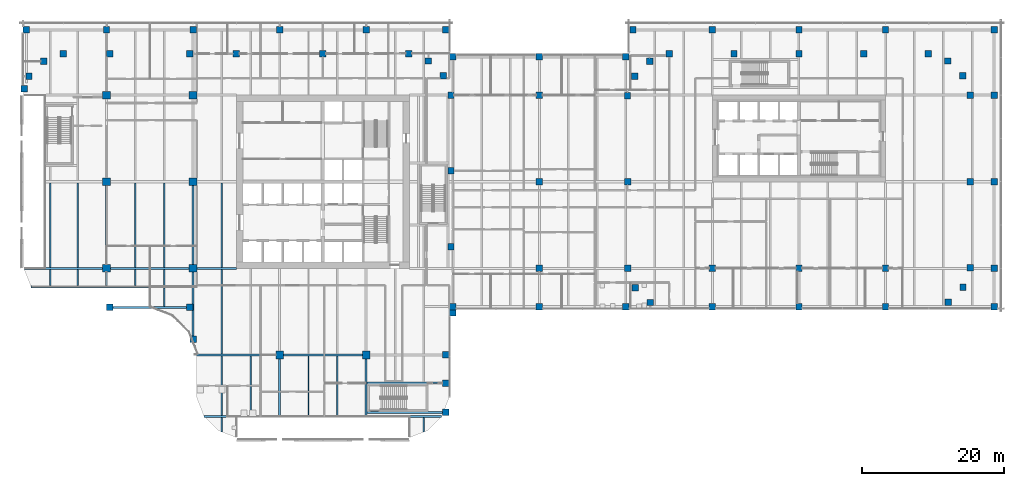
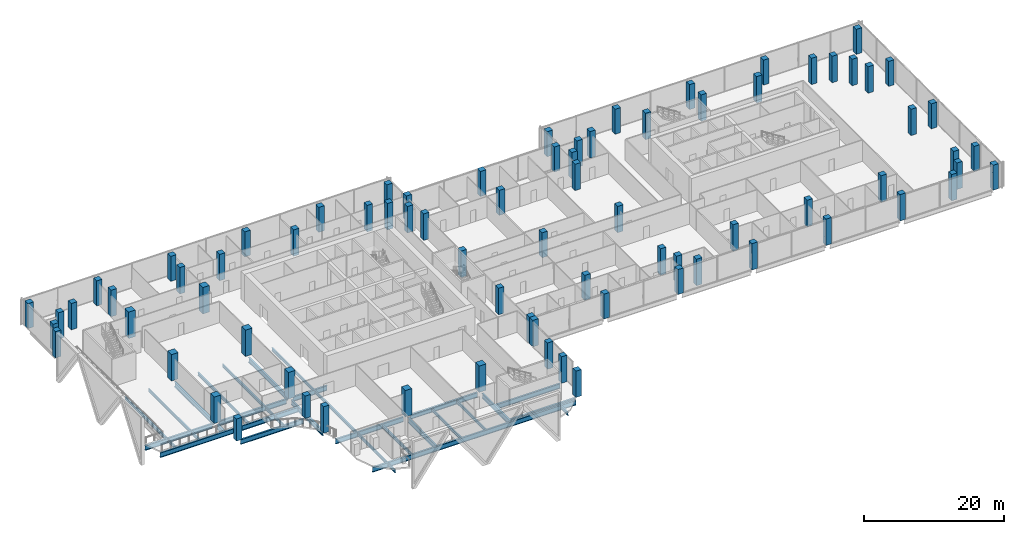
# One storey, part 1 of 33: 78 columns, 33 beams.
"""IFC4 building model written with IfcOpenShell, lengths in metres."""

from ifc_helpers import new_model, si_unit, direction, frame, origin, origin_2d, place, context, subcontext, project, spatial, rectangle, i_section, extrude, material, material_profile, profile_set, type_object, element, save


model = new_model("IFC4")

# Units and contexts
model_context = context("Model", 3, precision=1e-05, world=origin(), true_north=direction((0.0, 1.0)))
body_context = subcontext(model_context, "Body", "Model", "MODEL_VIEW")
ifc_project = project(units=[si_unit("LENGTHUNIT", "METRE"), si_unit("AREAUNIT", "SQUARE_METRE"), si_unit("VOLUMEUNIT", "CUBIC_METRE"), si_unit("PLANEANGLEUNIT", "RADIAN"), si_unit("MASSUNIT", "GRAM", prefix="KILO")], contexts=[model_context])

# Site, building, storey
site_placement = place(None, origin())
site = spatial("IfcSite", under=ifc_project, at=site_placement, CompositionType="ELEMENT")
building_placement = place(site_placement, origin())
building = spatial("IfcBuilding", under=site, at=building_placement, Name="Tessera Gate Towers", CompositionType="ELEMENT")
storey_placement = place(building_placement, frame((0.0, 0.0, 12.0)))
storey = spatial("IfcBuildingStorey", under=building, at=storey_placement, Name="L02", CompositionType="ELEMENT", Elevation=12.0)

# Columns
ifc_material_1 = material(Name="Concrete C70/85", Category="concrete")
ifc_material_profile_1 = material_profile(ifc_material_1, rectangle(XDim=1.10009765625, YDim=1.10009765625, at=origin_2d()), Name="RC 1100x1100")
ifc_profile_set_1 = profile_set([ifc_material_profile_1], Name="Concrete C70/85")
column_type_1 = type_object("IfcColumnType", Name="COLUMN RC 1100x1100", PredefinedType="COLUMN", material=ifc_profile_set_1)
for number, where, z_axis, x_axis, name in (
    (1, (12.199951171875, 24.39990234375, 0.0), (0.0, 0.0, 1.0), (1.0, 0.0, 0.0), "T1-COL-2C-L02"),
    (2, (12.199951171875, 36.60009765625, 0.0), (0.0, 0.0, 1.0), (1.0, 0.0, 0.0), "T1-COL-2D-L02"),
    (3, (12.199951171875, 48.800048828125, 0.0), (0.0, 0.0, 1.0), (1.0, 0.0, 0.0), "T1-COL-2E-L02"),
    (4, (24.39990234375, 24.39990234375, 0.0), (0.0, 0.0, 1.0), (1.0, 0.0, 0.0), "T1-COL-3C-L02"),
    (5, (24.39990234375, 36.60009765625, 0.0), (0.0, 0.0, 1.0), (1.0, 0.0, 0.0), "T1-COL-3D-L02"),
    (6, (24.39990234375, 48.800048828125, 0.0), (0.0, 0.0, 1.0), (1.0, 0.0, 0.0), "T1-COL-3E-L02"),
    (7, (36.60009765625, 12.199951171875, 0.0), (0.0, 0.0, 1.0), (1.0, 0.0, 0.0), "T1-COL-4B-L02"),
    (8, (48.800048828125, 12.199951171875, 0.0), (0.0, 0.0, 1.0), (1.0, 0.0, 0.0), "T1-COL-5B-L02"),
):
    element("IfcColumn", number, at=place(storey_placement, frame(where, z_axis=z_axis, x_axis=x_axis)), inside=storey, type_object=column_type_1, Name=name, PredefinedType="COLUMN", context=body_context, shape_type="SweptSolid", body=[
        extrude(rectangle(XDim=1.10009765625, YDim=1.10009765625, at=origin_2d()), origin(), (0.0, 0.0, 1.0), 4.60009765625),
    ])
ifc_material_2 = material(Name="Concrete C70/85", Category="concrete")
ifc_material_profile_2 = material_profile(ifc_material_2, rectangle(XDim=0.89990234375, YDim=0.89990234375, at=origin_2d()), Name="RC 900x900")
ifc_profile_set_2 = profile_set([ifc_material_profile_2], Name="Concrete C70/85")
column_type_2 = type_object("IfcColumnType", Name="COLUMN RC 900x900", PredefinedType="COLUMN", material=ifc_profile_set_2)
for number, where, z_axis, x_axis, name in (
    (9, (12.64990234375, 54.64990234375, 0.0), (0.0, 0.0, 1.0), (1.0, 0.0, 0.0), "PD-COL-E1-L02"),
    (10, (23.949951171875, 54.64990234375, 0.0), (0.0, 0.0, 1.0), (1.0, 0.0, 0.0), "PD-COL-E2-L02"),
    (11, (60.75, 27.449951171875, 0.0), (0.0, 0.0, 1.0), (1.0, 0.0, 0.0), "PD-COL-E3-L02"),
    (12, (60.75, 38.125, 0.0), (0.0, 0.0, 1.0), (1.0, 0.0, 0.0), "PD-COL-E4-L02"),
    (13, (60.75, 48.800048828125, 0.0), (0.0, 0.0, 1.0), (1.0, 0.0, 0.0), "PD-COL-E5-L02"),
    (14, (59.6689453125, 51.555908203125, 0.0), (0.0, 0.0, 1.0), (1.0, 0.0, 0.0), "PD-COL-E6-L02"),
    (15, (57.569091796875, 53.6259765625, 0.0), (0.0, 0.0, 1.0), (1.0, 0.0, 0.0), "PD-COL-E7-L02"),
    (16, (54.81005859375, 54.6669921875, 0.0), (0.0, 0.0, 1.0), (1.0, 0.0, 0.0), "PD-COL-E8-L02"),
    (17, (42.699951171875, 54.64990234375, 0.0), (0.0, 0.0, 1.0), (1.0, 0.0, 0.0), "PD-COL-E9-L02"),
    (18, (30.5, 54.64990234375, 0.0), (0.0, 0.0, 1.0), (1.0, 0.0, 0.0), "PD-COL-E10-L02"),
    (19, (6.10009765625, 54.64990234375, 0.0), (0.0, 0.0, 1.0), (1.0, 0.0, 0.0), "PD-COL-E11-L02"),
    (20, (3.343994140625, 53.569091796875, 0.0), (0.0, 0.0, 1.0), (1.0, 0.0, 0.0), "PD-COL-E12-L02"),
    (21, (1.27392578125, 51.468994140625, 0.0), (0.0, 0.0, 1.0), (1.0, 0.0, 0.0), "PD-COL-E13-L02"),
    (22, (130.85595703125, 19.631103515625, 0.0), (0.0, 0.0, 1.0), (1.0, 0.0, 0.0), "PD-COL-E14-L02"),
    (23, (132.926025390625, 21.73095703125, 0.0), (0.0, 0.0, 1.0), (1.0, 0.0, 0.0), "PD-COL-E15-L02"),
    (24, (133.967041015625, 24.489990234375, 0.0), (0.0, 0.0, 1.0), (1.0, 0.0, 0.0), "PD-COL-E16-L02"),
    (25, (133.949951171875, 36.60009765625, 0.0), (0.0, 0.0, 1.0), (1.0, 0.0, 0.0), "PD-COL-E17-L02"),
    (26, (133.949951171875, 48.800048828125, 0.0), (0.0, 0.0, 1.0), (1.0, 0.0, 0.0), "PD-COL-E18-L02"),
    (27, (132.868896484375, 51.555908203125, 0.0), (0.0, 0.0, 1.0), (1.0, 0.0, 0.0), "PD-COL-E19-L02"),
    (28, (130.76904296875, 53.6259765625, 0.0), (0.0, 0.0, 1.0), (1.0, 0.0, 0.0), "PD-COL-E20-L02"),
    (29, (128.010009765625, 54.6669921875, 0.0), (0.0, 0.0, 1.0), (1.0, 0.0, 0.0), "PD-COL-E21-L02"),
    (30, (118.949951171875, 54.64990234375, 0.0), (0.0, 0.0, 1.0), (1.0, 0.0, 0.0), "PD-COL-E22-L02"),
    (31, (109.800048828125, 54.64990234375, 0.0), (0.0, 0.0, 1.0), (1.0, 0.0, 0.0), "PD-COL-E23-L02"),
    (32, (100.64990234375, 54.64990234375, 0.0), (0.0, 0.0, 1.0), (1.0, 0.0, 0.0), "PD-COL-E24-L02"),
    (33, (91.5, 54.64990234375, 0.0), (0.0, 0.0, 1.0), (1.0, 0.0, 0.0), "PD-COL-E25-L02"),
    (34, (88.743896484375, 53.569091796875, 0.0), (0.0, 0.0, 1.0), (1.0, 0.0, 0.0), "PD-COL-E26-L02"),
    (35, (86.674072265625, 51.468994140625, 0.0), (0.0, 0.0, 1.0), (1.0, 0.0, 0.0), "PD-COL-E27-L02"),
    (36, (85.633056640625, 48.7099609375, 0.0), (0.0, 0.0, 1.0), (1.0, 0.0, 0.0), "PD-COL-E28-L02"),
    (37, (85.64990234375, 36.60009765625, 0.0), (0.0, 0.0, 1.0), (1.0, 0.0, 0.0), "PD-COL-E29-L02"),
    (38, (85.64990234375, 24.39990234375, 0.0), (0.0, 0.0, 1.0), (1.0, 0.0, 0.0), "PD-COL-E30-L02"),
    (39, (86.73095703125, 21.64404296875, 0.0), (0.0, 0.0, 1.0), (1.0, 0.0, 0.0), "PD-COL-E31-L02"),
    (40, (88.8310546875, 19.573974609375, 0.0), (0.0, 0.0, 1.0), (1.0, 0.0, 0.0), "PD-COL-E32-L02"),
    (41, (97.60009765625, 24.39990234375, 0.0), (0.0, 0.0, 1.0), (1.0, 0.0, 0.0), "T2-COL-9C-L02"),
    (42, (109.800048828125, 24.39990234375, 0.0), (0.0, 0.0, 1.0), (1.0, 0.0, 0.0), "T2-COL-10C-L02"),
    (43, (122.0, 24.39990234375, 0.0), (0.0, 0.0, 1.0), (1.0, 0.0, 0.0), "T2-COL-11C-L02"),
):
    element("IfcColumn", number, at=place(storey_placement, frame(where, z_axis=z_axis, x_axis=x_axis)), inside=storey, type_object=column_type_2, Name=name, PredefinedType="COLUMN", context=body_context, shape_type="SweptSolid", body=[
        extrude(rectangle(XDim=0.89990234375, YDim=0.89990234375, at=origin_2d()), origin(), (0.0, 0.0, 1.0), 4.60009765625),
    ])
for number, where, z_axis, x_axis, name in (
    (44, (73.199951171875, 24.39990234375, 0.0), (0.0, 0.0, 1.0), (1.0, 0.0, 0.0), "PD-COL-7C-L02"),
    (45, (73.199951171875, 36.60009765625, 0.0), (0.0, 0.0, 1.0), (1.0, 0.0, 0.0), "PD-COL-7D-L02"),
    (46, (73.199951171875, 48.800048828125, 0.0), (0.0, 0.0, 1.0), (1.0, 0.0, 0.0), "PD-COL-7E-L02"),
    (47, (12.199951171875, 58.0, 0.0), (0.0, 0.0, 1.0), (1.0, 0.0, 0.0), "PD-COL-258-L02"),
    (48, (24.39990234375, 58.0, 0.0), (0.0, 0.0, 1.0), (1.0, 0.0, 0.0), "PD-COL-358-L02"),
    (49, (36.60009765625, 58.0, 0.0), (0.0, 0.0, 1.0), (1.0, 0.0, 0.0), "PD-COL-458-L02"),
    (50, (48.800048828125, 58.0, 0.0), (0.0, 0.0, 1.0), (1.0, 0.0, 0.0), "PD-COL-558-L02"),
    (51, (97.60009765625, 58.0, 0.0), (0.0, 0.0, 1.0), (1.0, 0.0, 0.0), "PD-COL-958-L02"),
    (52, (109.800048828125, 58.0, 0.0), (0.0, 0.0, 1.0), (1.0, 0.0, 0.0), "PD-COL-1058-L02"),
    (53, (122.0, 58.0, 0.0), (0.0, 0.0, 1.0), (1.0, 0.0, 0.0), "PD-COL-1158-L02"),
    (54, (137.300048828125, 58.0, 0.0), (0.0, 0.0, 1.0), (1.0, 0.0, 0.0), "PD-COL-137.358-L02"),
    (55, (137.300048828125, 48.800048828125, 0.0), (0.0, 0.0, 1.0), (1.0, 0.0, 0.0), "PD-COL-137.3E-L02"),
    (56, (137.300048828125, 36.60009765625, 0.0), (0.0, 0.0, 1.0), (1.0, 0.0, 0.0), "PD-COL-137.3D-L02"),
    (57, (137.300048828125, 24.39990234375, 0.0), (0.0, 0.0, 1.0), (1.0, 0.0, 0.0), "PD-COL-137.3C-L02"),
):
    element("IfcColumn", number, at=place(storey_placement, frame(where, z_axis=z_axis, x_axis=x_axis)), inside=storey, type_object=column_type_2, Name=name, PredefinedType="COLUMN", context=body_context, shape_type="SweptSolid", body=[
        extrude(rectangle(XDim=0.89990234375, YDim=0.89990234375, at=origin_2d()), origin(), (0.0, 0.0, 1.0), 4.35009765625),
    ])
column_placement = place(storey_placement, frame((61.0, 19.0, 0.0), z_axis=(0.0, 0.0, 1.0), x_axis=(1.0, 0.0, 0.0)))
element("IfcColumn", 58, at=column_placement, inside=storey, type_object=column_type_2, Name="PD-COL-619-L02", PredefinedType="COLUMN", context=body_context, shape_type="SweptSolid", body=[
    extrude(rectangle(XDim=0.89990234375, YDim=0.89990234375, at=origin_2d()), origin(), (0.0, 0.0, 1.0), 4.60009765625),
])
for number, where, z_axis, x_axis, name in (
    (59, (73.199951171875, 19.0, 0.0), (0.0, 0.0, 1.0), (1.0, 0.0, 0.0), "PD-COL-719-L02"),
    (60, (85.39990234375, 19.0, 0.0), (0.0, 0.0, 1.0), (1.0, 0.0, 0.0), "PD-COL-819-L02"),
):
    element("IfcColumn", number, at=place(storey_placement, frame(where, z_axis=z_axis, x_axis=x_axis)), inside=storey, type_object=column_type_2, Name=name, PredefinedType="COLUMN", context=body_context, shape_type="SweptSolid", body=[
        extrude(rectangle(XDim=0.89990234375, YDim=0.89990234375, at=origin_2d()), origin(), (0.0, 0.0, 1.0), 4.35009765625),
    ])
for number, where, z_axis, x_axis, name in (
    (61, (97.60009765625, 19.0, 0.0), (0.0, 0.0, 1.0), (1.0, 0.0, 0.0), "PD-COL-919-L02"),
    (62, (109.800048828125, 19.0, 0.0), (0.0, 0.0, 1.0), (1.0, 0.0, 0.0), "PD-COL-1019-L02"),
    (63, (122.0, 19.0, 0.0), (0.0, 0.0, 1.0), (1.0, 0.0, 0.0), "PD-COL-1119-L02"),
):
    element("IfcColumn", number, at=place(storey_placement, frame(where, z_axis=z_axis, x_axis=x_axis)), inside=storey, type_object=column_type_2, Name=name, PredefinedType="COLUMN", context=body_context, shape_type="SweptSolid", body=[
        extrude(rectangle(XDim=0.89990234375, YDim=0.89990234375, at=origin_2d()), origin(), (0.0, 0.0, 1.0), 4.60009765625),
    ])
for number, where, z_axis, x_axis, name in (
    (64, (137.300048828125, 19.0, 0.0), (0.0, 0.0, 1.0), (1.0, 0.0, 0.0), "PD-COL-137.319-L02"),
    (65, (61.0, 54.199951171875, 0.0), (0.0, 0.0, 1.0), (1.0, 0.0, 0.0), "PD-COL-654.2-L02"),
    (66, (73.199951171875, 54.199951171875, 0.0), (0.0, 0.0, 1.0), (1.0, 0.0, 0.0), "PD-COL-754.2-L02"),
    (67, (85.39990234375, 54.199951171875, 0.0), (0.0, 0.0, 1.0), (1.0, 0.0, 0.0), "PD-COL-854.2-L02"),
    (68, (60.0, 58.0, 0.0), (0.0, 0.0, 1.0), (1.0, 0.0, 0.0), "PD-COL-6058-L02"),
    (69, (86.39990234375, 58.0, 0.0), (0.0, 0.0, 1.0), (1.0, 0.0, 0.0), "PD-COL-86.458-L02"),
    (70, (0.89990234375, 58.0, 0.0), (0.0, 0.0, 1.0), (1.0, 0.0, 0.0), "PD-COL-0.958-L02"),
):
    element("IfcColumn", number, at=place(storey_placement, frame(where, z_axis=z_axis, x_axis=x_axis)), inside=storey, type_object=column_type_2, Name=name, PredefinedType="COLUMN", context=body_context, shape_type="SweptSolid", body=[
        extrude(rectangle(XDim=0.89990234375, YDim=0.89990234375, at=origin_2d()), origin(), (0.0, 0.0, 1.0), 4.35009765625),
    ])
for number, where, z_axis, x_axis, name in (
    (71, (60.0, 12.199951171875, 0.0), (0.0, 0.0, 1.0), (1.0, 0.0, 0.0), "PD-COL-60B-L02"),
    (72, (24.39990234375, 14.39990234375, 0.0), (0.0, 0.0, 1.0), (1.0, 0.0, 0.0), "PD-COL-314.4-L02"),
    (73, (60.0, 8.199951171875, 0.0), (0.0, 0.0, 1.0), (1.0, 0.0, 0.0), "PD-COL-608.2-L02"),
    (74, (60.0, 4.10009765625, 0.0), (0.0, 0.0, 1.0), (1.0, 0.0, 0.0), "PD-COL-604.1-L02"),
    (75, (61.0, 18.10009765625, 0.0), (0.0, 0.0, 1.0), (1.0, 0.0, 0.0), "PD-COL-618.1-L02"),
    (76, (0.6201171875, 49.719970703125, 0.0), (0.0, 0.0, 1.0), (1.0, 0.0, 0.0), "PD-COL-0.6249.72-L02"),
):
    element("IfcColumn", number, at=place(storey_placement, frame(where, z_axis=z_axis, x_axis=x_axis)), inside=storey, type_object=column_type_2, Name=name, PredefinedType="COLUMN", context=body_context, shape_type="SweptSolid", body=[
        extrude(rectangle(XDim=0.89990234375, YDim=0.89990234375, at=origin_2d()), origin(), (0.0, 0.0, 1.0), 4.60009765625),
    ])
for number, where, z_axis, x_axis, name in (
    (77, (12.64990234375, 18.89990234375, 0.0), (0.0, 0.0, 1.0), (1.0, 0.0, 0.0), "PD-COL-MOUTH1-L02"),
    (78, (23.949951171875, 18.89990234375, 0.0), (0.0, 0.0, 1.0), (1.0, 0.0, 0.0), "PD-COL-MOUTH2-L02"),
):
    element("IfcColumn", number, at=place(storey_placement, frame(where, z_axis=z_axis, x_axis=x_axis)), inside=storey, type_object=column_type_2, Name=name, PredefinedType="COLUMN", context=body_context, shape_type="SweptSolid", body=[
        extrude(rectangle(XDim=0.89990234375, YDim=0.89990234375, at=origin_2d()), origin(), (0.0, 0.0, 1.0), 3.885009765625),
    ])

# Beams
ifc_material_3 = material(Name="Steel 350W", Category="steel")
ifc_material_profile_3 = material_profile(ifc_material_3, i_section(OverallWidth=0.2919921875, OverallDepth=0.8349609375, WebThickness=0.013916015625, FlangeThickness=0.018798828125, at=origin_2d()), Name="W840x176")
ifc_profile_set_3 = profile_set([ifc_material_profile_3], Name="Steel 350W")
beam_type_1 = type_object("IfcBeamType", Name="FLOOR GIRDER W840x176", PredefinedType="BEAM", material=ifc_profile_set_3)
beam_1_placement = place(storey_placement, frame((13.10009765625, 18.89990234375, -0.66748046875), z_axis=(1.0, 0.0, 0.0), x_axis=(0.0, 1.0, 0.0)))
element("IfcBeam", 79, at=beam_1_placement, inside=storey, type_object=beam_type_1, Name="PD-GD-L02-373", PredefinedType="BEAM", context=body_context, shape_type="SweptSolid", body=[
    extrude(i_section(OverallWidth=0.2919921875, OverallDepth=0.8349609375, WebThickness=0.013916015625, FlangeThickness=0.018798828125, at=origin_2d()), origin(), (0.0, 0.0, 1.0), 10.39990234375),
])
beam_2_placement = place(storey_placement, frame((25.957763671875, 3.5, -0.66748046875), z_axis=(1.0, 0.0, 0.0), x_axis=(0.0, 1.0, 0.0)))
element("IfcBeam", 80, at=beam_2_placement, inside=storey, type_object=beam_type_1, Name="PD-GD-L02-374", PredefinedType="BEAM", context=body_context, shape_type="SweptSolid", body=[
    extrude(i_section(OverallWidth=0.2919921875, OverallDepth=0.8349609375, WebThickness=0.013916015625, FlangeThickness=0.018798828125, at=origin_2d()), origin(), (0.0, 0.0, 1.0), 33.484375),
])
beam_3_placement = place(storey_placement, frame((1.557861328125, 21.800048828125, -0.66748046875), z_axis=(1.0, 0.0, 0.0), x_axis=(0.0, 1.0, 0.0)))
element("IfcBeam", 81, at=beam_3_placement, inside=storey, type_object=beam_type_1, Name="PD-GD-L02-376", PredefinedType="BEAM", context=body_context, shape_type="SweptSolid", body=[
    extrude(i_section(OverallWidth=0.2919921875, OverallDepth=0.8349609375, WebThickness=0.013916015625, FlangeThickness=0.018798828125, at=origin_2d()), origin(), (0.0, 0.0, 1.0), 22.696044921875),
])
beam_4_placement = place(storey_placement, frame((24.89892578125, 12.199951171875, -0.66748046875), z_axis=(1.0, 0.0, 0.0), x_axis=(0.0, 1.0, 0.0)))
element("IfcBeam", 82, at=beam_4_placement, inside=storey, type_object=beam_type_1, Name="PD-GD-L02-377", PredefinedType="BEAM", context=body_context, shape_type="SweptSolid", body=[
    extrude(i_section(OverallWidth=0.2919921875, OverallDepth=0.8349609375, WebThickness=0.013916015625, FlangeThickness=0.018798828125, at=origin_2d()), origin(), (0.0, 0.0, 1.0), 11.151123046875),
])
beam_5_placement = place(storey_placement, frame((37.14990234375, 12.199951171875, -0.66748046875), z_axis=(1.0, 0.0, 0.0), x_axis=(0.0, 1.0, 0.0)))
element("IfcBeam", 83, at=beam_5_placement, inside=storey, type_object=beam_type_1, Name="PD-GD-L02-378", PredefinedType="BEAM", context=body_context, shape_type="SweptSolid", body=[
    extrude(i_section(OverallWidth=0.2919921875, OverallDepth=0.8349609375, WebThickness=0.013916015625, FlangeThickness=0.018798828125, at=origin_2d()), origin(), (0.0, 0.0, 1.0), 11.10009765625),
])
beam_6_placement = place(storey_placement, frame((0.534912109375, 24.39990234375, -0.66748046875), z_axis=(1.0, 0.0, 0.0), x_axis=(0.0, 1.0, 0.0)))
element("IfcBeam", 84, at=beam_6_placement, inside=storey, type_object=beam_type_1, Name="PD-GD-L02-380", PredefinedType="BEAM", context=body_context, shape_type="SweptSolid", body=[
    extrude(i_section(OverallWidth=0.2919921875, OverallDepth=0.8349609375, WebThickness=0.013916015625, FlangeThickness=0.018798828125, at=origin_2d()), origin(), (0.0, 0.0, 1.0), 11.114990234375),
])
beam_7_placement = place(storey_placement, frame((12.75, 24.39990234375, -0.66748046875), z_axis=(1.0, 0.0, 0.0), x_axis=(0.0, 1.0, 0.0)))
element("IfcBeam", 85, at=beam_7_placement, inside=storey, type_object=beam_type_1, Name="PD-GD-L02-381", PredefinedType="BEAM", context=body_context, shape_type="SweptSolid", body=[
    extrude(i_section(OverallWidth=0.2919921875, OverallDepth=0.8349609375, WebThickness=0.013916015625, FlangeThickness=0.018798828125, at=origin_2d()), origin(), (0.0, 0.0, 1.0), 11.10009765625),
])
beam_8_placement = place(storey_placement, frame((24.949951171875, 24.39990234375, -0.66748046875), z_axis=(1.0, 0.0, 0.0), x_axis=(0.0, 1.0, 0.0)))
element("IfcBeam", 86, at=beam_8_placement, inside=storey, type_object=beam_type_1, Name="PD-GD-L02-382", PredefinedType="BEAM", context=body_context, shape_type="SweptSolid", body=[
    extrude(i_section(OverallWidth=0.2919921875, OverallDepth=0.8349609375, WebThickness=0.013916015625, FlangeThickness=0.018798828125, at=origin_2d()), origin(), (0.0, 0.0, 1.0), 5.549072265625),
])
beam_9_placement = place(storey_placement, frame((12.199951171875, 21.946044921875, -0.66748046875), z_axis=(0.0, 1.0, 0.0), x_axis=(-1.0, 0.0, 0.0)))
element("IfcBeam", 87, at=beam_9_placement, inside=storey, type_object=beam_type_1, Name="PD-GD-L02-415", PredefinedType="BEAM", context=body_context, shape_type="SweptSolid", body=[
    extrude(i_section(OverallWidth=0.2919921875, OverallDepth=0.8349609375, WebThickness=0.013916015625, FlangeThickness=0.018798828125, at=origin_2d()), origin(), (0.0, 0.0, 1.0), 1.904052734375),
])
beam_10_placement = place(storey_placement, frame((12.199951171875, 24.949951171875, -0.66748046875), z_axis=(0.0, 1.0, 0.0), x_axis=(-1.0, 0.0, 0.0)))
element("IfcBeam", 88, at=beam_10_placement, inside=storey, type_object=beam_type_1, Name="PD-GD-L02-416", PredefinedType="BEAM", context=body_context, shape_type="SweptSolid", body=[
    extrude(i_section(OverallWidth=0.2919921875, OverallDepth=0.8349609375, WebThickness=0.013916015625, FlangeThickness=0.018798828125, at=origin_2d()), origin(), (0.0, 0.0, 1.0), 11.10009765625),
])
beam_11_placement = place(storey_placement, frame((24.39990234375, 14.85009765625, -0.66748046875), z_axis=(0.0, 1.0, 0.0), x_axis=(-1.0, 0.0, 0.0)))
element("IfcBeam", 89, at=beam_11_placement, inside=storey, type_object=beam_type_1, Name="PD-GD-L02-419", PredefinedType="BEAM", context=body_context, shape_type="SweptSolid", body=[
    extrude(i_section(OverallWidth=0.2919921875, OverallDepth=0.8349609375, WebThickness=0.013916015625, FlangeThickness=0.018798828125, at=origin_2d()), origin(), (0.0, 0.0, 1.0), 9.0),
])
beam_12_placement = place(storey_placement, frame((24.39990234375, 24.949951171875, -0.66748046875), z_axis=(0.0, 1.0, 0.0), x_axis=(-1.0, 0.0, 0.0)))
element("IfcBeam", 90, at=beam_12_placement, inside=storey, type_object=beam_type_1, Name="PD-GD-L02-420", PredefinedType="BEAM", context=body_context, shape_type="SweptSolid", body=[
    extrude(i_section(OverallWidth=0.2919921875, OverallDepth=0.8349609375, WebThickness=0.013916015625, FlangeThickness=0.018798828125, at=origin_2d()), origin(), (0.0, 0.0, 1.0), 11.10009765625),
])
for number, where, z_axis, x_axis, name in (
    (91, (36.60009765625, 3.64599609375, -0.66748046875), (0.0, 1.0, 0.0), (-1.0, 0.0, 0.0), "PD-GD-L02-423"),
    (92, (48.800048828125, 3.64599609375, -0.66748046875), (0.0, 1.0, 0.0), (-1.0, 0.0, 0.0), "PD-GD-L02-425"),
):
    element("IfcBeam", number, at=place(storey_placement, frame(where, z_axis=z_axis, x_axis=x_axis)), inside=storey, type_object=beam_type_1, Name=name, PredefinedType="BEAM", context=body_context, shape_type="SweptSolid", body=[
        extrude(i_section(OverallWidth=0.2919921875, OverallDepth=0.8349609375, WebThickness=0.013916015625, FlangeThickness=0.018798828125, at=origin_2d()), origin(), (0.0, 0.0, 1.0), 8.00390625),
    ])
beam_13_placement = place(storey_placement, frame((48.904541015625, 4.080078125, -0.66748046875), z_axis=(1.0, 0.0, 0.0), x_axis=(0.0, 1.0, 0.0)))
element("IfcBeam", 93, at=beam_13_placement, inside=storey, type_object=beam_type_1, Name="PD-GD-L02-443", PredefinedType="BEAM", context=body_context, shape_type="SweptSolid", body=[
    extrude(i_section(OverallWidth=0.2919921875, OverallDepth=0.8349609375, WebThickness=0.013916015625, FlangeThickness=0.018798828125, at=origin_2d()), origin(), (0.0, 0.0, 1.0), 10.78125),
])
beam_14_placement = place(storey_placement, frame((48.904541015625, 8.219970703125, -0.66748046875), z_axis=(1.0, 0.0, 0.0), x_axis=(0.0, 1.0, 0.0)))
element("IfcBeam", 94, at=beam_14_placement, inside=storey, type_object=beam_type_1, Name="PD-GD-L02-444", PredefinedType="BEAM", context=body_context, shape_type="SweptSolid", body=[
    extrude(i_section(OverallWidth=0.2919921875, OverallDepth=0.8349609375, WebThickness=0.013916015625, FlangeThickness=0.018798828125, at=origin_2d()), origin(), (0.0, 0.0, 1.0), 10.6455078125),
])
ifc_material_4 = material(Name="Steel 350W", Category="steel")
ifc_material_profile_4 = material_profile(ifc_material_4, i_section(OverallWidth=0.208984375, OverallDepth=0.528076171875, WebThickness=0.009521484375, FlangeThickness=0.01318359375, at=origin_2d()), Name="W530x82")
ifc_profile_set_4 = profile_set([ifc_material_profile_4], Name="Steel 350W")
beam_type_2 = type_object("IfcBeamType", Name="FLOOR SECONDARY W530x82", PredefinedType="BEAM", material=ifc_profile_set_4)
beam_15_placement = place(storey_placement, frame((4.25048828125, 21.946044921875, -0.513916015625), z_axis=(0.0, 1.0, 0.0), x_axis=(-1.0, 0.0, 0.0)))
element("IfcBeam", 95, at=beam_15_placement, inside=storey, type_object=beam_type_2, Name="PD-BM-L02-451", PredefinedType="BEAM", context=body_context, shape_type="SweptSolid", body=[
    extrude(i_section(OverallWidth=0.208984375, OverallDepth=0.528076171875, WebThickness=0.009521484375, FlangeThickness=0.01318359375, at=origin_2d()), origin(), (0.0, 0.0, 1.0), 2.307861328125),
])
beam_16_placement = place(storey_placement, frame((4.25048828125, 24.5458984375, -0.513916015625), z_axis=(0.0, 1.0, 0.0), x_axis=(-1.0, 0.0, 0.0)))
element("IfcBeam", 96, at=beam_16_placement, inside=storey, type_object=beam_type_2, Name="PD-BM-L02-452", PredefinedType="BEAM", context=body_context, shape_type="SweptSolid", body=[
    extrude(i_section(OverallWidth=0.208984375, OverallDepth=0.528076171875, WebThickness=0.009521484375, FlangeThickness=0.01318359375, at=origin_2d()), origin(), (0.0, 0.0, 1.0), 11.908203125),
])
beam_17_placement = place(storey_placement, frame((8.13330078125, 21.946044921875, -0.513916015625), z_axis=(0.0, 1.0, 0.0), x_axis=(-1.0, 0.0, 0.0)))
element("IfcBeam", 97, at=beam_17_placement, inside=storey, type_object=beam_type_2, Name="PD-BM-L02-455", PredefinedType="BEAM", context=body_context, shape_type="SweptSolid", body=[
    extrude(i_section(OverallWidth=0.208984375, OverallDepth=0.528076171875, WebThickness=0.009521484375, FlangeThickness=0.01318359375, at=origin_2d()), origin(), (0.0, 0.0, 1.0), 2.307861328125),
])
beam_18_placement = place(storey_placement, frame((8.13330078125, 24.5458984375, -0.513916015625), z_axis=(0.0, 1.0, 0.0), x_axis=(-1.0, 0.0, 0.0)))
element("IfcBeam", 98, at=beam_18_placement, inside=storey, type_object=beam_type_2, Name="PD-BM-L02-456", PredefinedType="BEAM", context=body_context, shape_type="SweptSolid", body=[
    extrude(i_section(OverallWidth=0.208984375, OverallDepth=0.528076171875, WebThickness=0.009521484375, FlangeThickness=0.01318359375, at=origin_2d()), origin(), (0.0, 0.0, 1.0), 11.908203125),
])
beam_19_placement = place(storey_placement, frame((16.2666015625, 21.946044921875, -0.513916015625), z_axis=(0.0, 1.0, 0.0), x_axis=(-1.0, 0.0, 0.0)))
element("IfcBeam", 99, at=beam_19_placement, inside=storey, type_object=beam_type_2, Name="PD-BM-L02-459", PredefinedType="BEAM", context=body_context, shape_type="SweptSolid", body=[
    extrude(i_section(OverallWidth=0.208984375, OverallDepth=0.528076171875, WebThickness=0.009521484375, FlangeThickness=0.01318359375, at=origin_2d()), origin(), (0.0, 0.0, 1.0), 2.307861328125),
])
beam_20_placement = place(storey_placement, frame((16.2666015625, 24.5458984375, -0.513916015625), z_axis=(0.0, 1.0, 0.0), x_axis=(-1.0, 0.0, 0.0)))
element("IfcBeam", 100, at=beam_20_placement, inside=storey, type_object=beam_type_2, Name="PD-BM-L02-460", PredefinedType="BEAM", context=body_context, shape_type="SweptSolid", body=[
    extrude(i_section(OverallWidth=0.208984375, OverallDepth=0.528076171875, WebThickness=0.009521484375, FlangeThickness=0.01318359375, at=origin_2d()), origin(), (0.0, 0.0, 1.0), 11.908203125),
])
beam_21_placement = place(storey_placement, frame((20.333251953125, 19.0458984375, -0.513916015625), z_axis=(0.0, 1.0, 0.0), x_axis=(-1.0, 0.0, 0.0)))
element("IfcBeam", 101, at=beam_21_placement, inside=storey, type_object=beam_type_2, Name="PD-BM-L02-463", PredefinedType="BEAM", context=body_context, shape_type="SweptSolid", body=[
    extrude(i_section(OverallWidth=0.208984375, OverallDepth=0.528076171875, WebThickness=0.009521484375, FlangeThickness=0.01318359375, at=origin_2d()), origin(), (0.0, 0.0, 1.0), 2.608154296875),
])
beam_22_placement = place(storey_placement, frame((20.333251953125, 21.946044921875, -0.513916015625), z_axis=(0.0, 1.0, 0.0), x_axis=(-1.0, 0.0, 0.0)))
element("IfcBeam", 102, at=beam_22_placement, inside=storey, type_object=beam_type_2, Name="PD-BM-L02-464", PredefinedType="BEAM", context=body_context, shape_type="SweptSolid", body=[
    extrude(i_section(OverallWidth=0.208984375, OverallDepth=0.528076171875, WebThickness=0.009521484375, FlangeThickness=0.01318359375, at=origin_2d()), origin(), (0.0, 0.0, 1.0), 2.307861328125),
])
beam_23_placement = place(storey_placement, frame((20.333251953125, 24.5458984375, -0.513916015625), z_axis=(0.0, 1.0, 0.0), x_axis=(-1.0, 0.0, 0.0)))
element("IfcBeam", 103, at=beam_23_placement, inside=storey, type_object=beam_type_2, Name="PD-BM-L02-465", PredefinedType="BEAM", context=body_context, shape_type="SweptSolid", body=[
    extrude(i_section(OverallWidth=0.208984375, OverallDepth=0.528076171875, WebThickness=0.009521484375, FlangeThickness=0.01318359375, at=origin_2d()), origin(), (0.0, 0.0, 1.0), 11.908203125),
])
beam_24_placement = place(storey_placement, frame((28.466796875, 1.3203125, -0.513916015625), z_axis=(0.0, 1.0, 0.0), x_axis=(-1.0, 0.0, 0.0)))
element("IfcBeam", 104, at=beam_24_placement, inside=storey, type_object=beam_type_2, Name="PD-BM-L02-468", PredefinedType="BEAM", context=body_context, shape_type="SweptSolid", body=[
    extrude(i_section(OverallWidth=0.208984375, OverallDepth=0.528076171875, WebThickness=0.009521484375, FlangeThickness=0.01318359375, at=origin_2d()), origin(), (0.0, 0.0, 1.0), 2.03369140625),
])
beam_25_placement = place(storey_placement, frame((28.466796875, 3.64599609375, -0.513916015625), z_axis=(0.0, 1.0, 0.0), x_axis=(-1.0, 0.0, 0.0)))
element("IfcBeam", 105, at=beam_25_placement, inside=storey, type_object=beam_type_2, Name="PD-BM-L02-469", PredefinedType="BEAM", context=body_context, shape_type="SweptSolid", body=[
    extrude(i_section(OverallWidth=0.208984375, OverallDepth=0.528076171875, WebThickness=0.009521484375, FlangeThickness=0.01318359375, at=origin_2d()), origin(), (0.0, 0.0, 1.0), 8.407958984375),
])
beam_26_placement = place(storey_placement, frame((28.466796875, 12.345947265625, -0.513916015625), z_axis=(0.0, 1.0, 0.0), x_axis=(-1.0, 0.0, 0.0)))
element("IfcBeam", 106, at=beam_26_placement, inside=storey, type_object=beam_type_2, Name="PD-BM-L02-470", PredefinedType="BEAM", context=body_context, shape_type="SweptSolid", body=[
    extrude(i_section(OverallWidth=0.208984375, OverallDepth=0.528076171875, WebThickness=0.009521484375, FlangeThickness=0.01318359375, at=origin_2d()), origin(), (0.0, 0.0, 1.0), 11.907958984375),
])
beam_27_placement = place(storey_placement, frame((28.466796875, 24.5458984375, -0.513916015625), z_axis=(0.0, 1.0, 0.0), x_axis=(-1.0, 0.0, 0.0)))
element("IfcBeam", 107, at=beam_27_placement, inside=storey, type_object=beam_type_2, Name="PD-BM-L02-471", PredefinedType="BEAM", context=body_context, shape_type="SweptSolid", body=[
    extrude(i_section(OverallWidth=0.208984375, OverallDepth=0.528076171875, WebThickness=0.009521484375, FlangeThickness=0.01318359375, at=origin_2d()), origin(), (0.0, 0.0, 1.0), 11.908203125),
])
for number, where, z_axis, x_axis, name in (
    (108, (32.533203125, 3.64599609375, -0.513916015625), (0.0, 1.0, 0.0), (-1.0, 0.0, 0.0), "PD-BM-L02-474"),
    (109, (40.666748046875, 3.64599609375, -0.513916015625), (0.0, 1.0, 0.0), (-1.0, 0.0, 0.0), "PD-BM-L02-478"),
    (110, (44.7333984375, 3.64599609375, -0.513916015625), (0.0, 1.0, 0.0), (-1.0, 0.0, 0.0), "PD-BM-L02-481"),
):
    element("IfcBeam", number, at=place(storey_placement, frame(where, z_axis=z_axis, x_axis=x_axis)), inside=storey, type_object=beam_type_2, Name=name, PredefinedType="BEAM", context=body_context, shape_type="SweptSolid", body=[
        extrude(i_section(OverallWidth=0.208984375, OverallDepth=0.528076171875, WebThickness=0.009521484375, FlangeThickness=0.01318359375, at=origin_2d()), origin(), (0.0, 0.0, 1.0), 8.407958984375),
    ])
beam_28_placement = place(storey_placement, frame((56.933349609375, 1.3203125, -0.513916015625), z_axis=(0.0, 1.0, 0.0), x_axis=(-1.0, 0.0, 0.0)))
element("IfcBeam", 111, at=beam_28_placement, inside=storey, type_object=beam_type_2, Name="PD-BM-L02-488", PredefinedType="BEAM", context=body_context, shape_type="SweptSolid", body=[
    extrude(i_section(OverallWidth=0.208984375, OverallDepth=0.528076171875, WebThickness=0.009521484375, FlangeThickness=0.01318359375, at=origin_2d()), origin(), (0.0, 0.0, 1.0), 2.03369140625),
])

save(model, "model.ifc")
